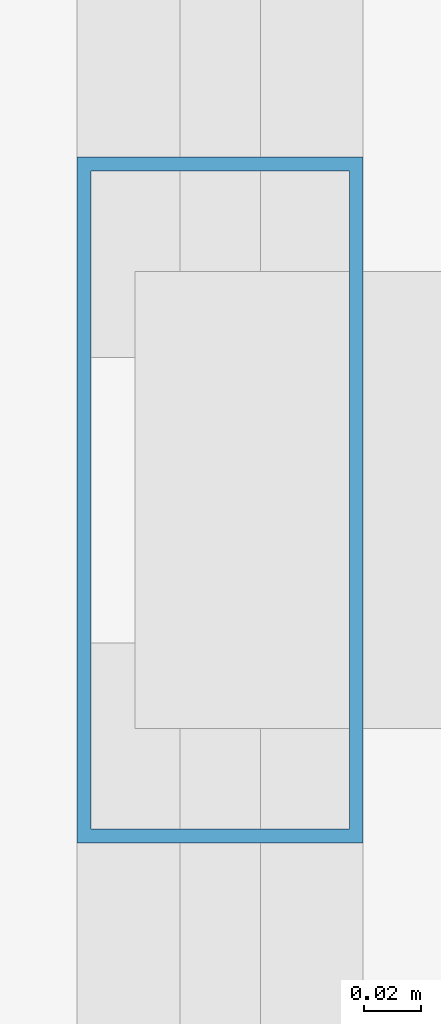
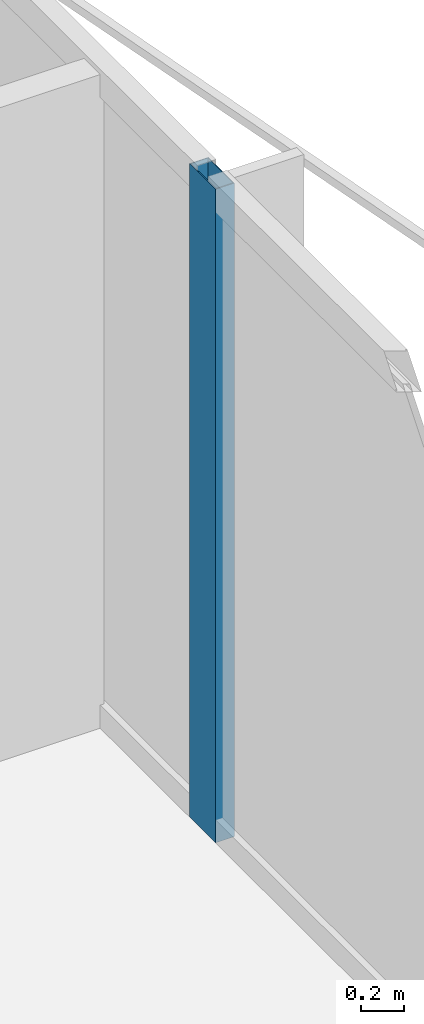
# One storey, part 11 of 28: 1 member, 1 element without a shape of its own.
"""IFC4 building model written with IfcOpenShell, lengths in metres."""

from ifc_helpers import new_model, si_unit, direction, frame, origin, origin_2d, place, context, subcontext, project, spatial, hollow_rectangle, extrude, material, layer, layer_set, material_profile, profile_set, type_object, element, aggregate, save


model = new_model("IFC4")

# Units and contexts
model_context = context("Model", 3, precision=1e-05, world=origin(), true_north=direction((0.0, 1.0)))
body_context = subcontext(model_context, "Body", "Model", "MODEL_VIEW")
ifc_project = project(units=[si_unit("LENGTHUNIT", "METRE"), si_unit("AREAUNIT", "SQUARE_METRE"), si_unit("VOLUMEUNIT", "CUBIC_METRE"), si_unit("PLANEANGLEUNIT", "RADIAN"), si_unit("MASSUNIT", "GRAM", prefix="KILO")], contexts=[model_context])

# Site, building, storey
site_placement = place(None, origin())
site = spatial("IfcSite", under=ifc_project, at=site_placement, CompositionType="ELEMENT")
building_placement = place(site_placement, origin())
building = spatial("IfcBuilding", under=site, at=building_placement, Name="Khorvyn Point Tower", CompositionType="ELEMENT")
storey_placement = place(building_placement, frame((0.0, 0.0, 89.10009765625)))
storey = spatial("IfcBuildingStorey", under=building, at=storey_placement, Name="L22", CompositionType="ELEMENT", Elevation=89.10009765625)

# Curtain wall, member
ifc_material_1 = material(Name="Anodised aluminium 6063-T6 and laminated Low-E glass", Category="aluminium")
ifc_layer = layer(ifc_material_1, 0.18994140625)
ifc_layer_set = layer_set([ifc_layer], Name="Stick-Built Finned Residential Curtain Wall CW-SYS-02")
curtain_wall_type = type_object("IfcCurtainWallType", Name="Stick-Built Finned Residential Curtain Wall CW-SYS-02", PredefinedType="NOTDEFINED", material=ifc_layer_set)
curtain_wall_placement = place(storey_placement, origin())
curtain_wall = element("IfcCurtainWall", 1, at=curtain_wall_placement, inside=storey, type_object=curtain_wall_type, Name="Curtain Wall", PredefinedType="NOTDEFINED")
ifc_material_2 = material(Name="Anodised aluminium 6063-T6", Category="aluminium")
ifc_material_profile = material_profile(ifc_material_2, hollow_rectangle(XDim=0.10009765625, YDim=0.239990234375, WallThickness=0.0048828125, at=origin_2d()))
ifc_profile_set = profile_set([ifc_material_profile], Name="Anodised aluminium 6063-T6 ALU-MUL-100x240")
member_type = type_object("IfcMemberType", Name="Anodised Aluminium 6063-T6 Mullion ALU-MUL-100x240", PredefinedType="MULLION", material=ifc_profile_set)
member_placement = place(storey_placement, frame((22.14990234375, 11.1201171875, 0.0), z_axis=(0.0, 0.0, 1.0), x_axis=(1.0, 0.0, 0.0)))
member = element("IfcMember", 2, at=member_placement, type_object=member_type, Name="Transom", PredefinedType="MULLION", context=body_context, shape_type="SweptSolid", body=[
    extrude(hollow_rectangle(XDim=0.10009765625, YDim=0.239990234375, WallThickness=0.0048828125, at=origin_2d()), origin(), (0.0, 0.0, 1.0), 3.679931640625),
])
aggregate(curtain_wall, [member])

save(model, "model.ifc")
